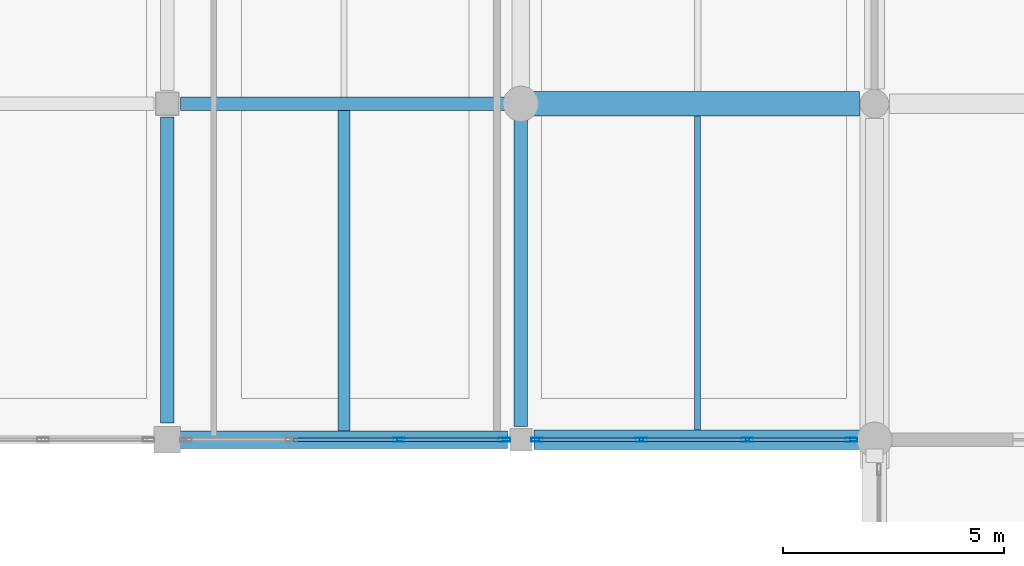
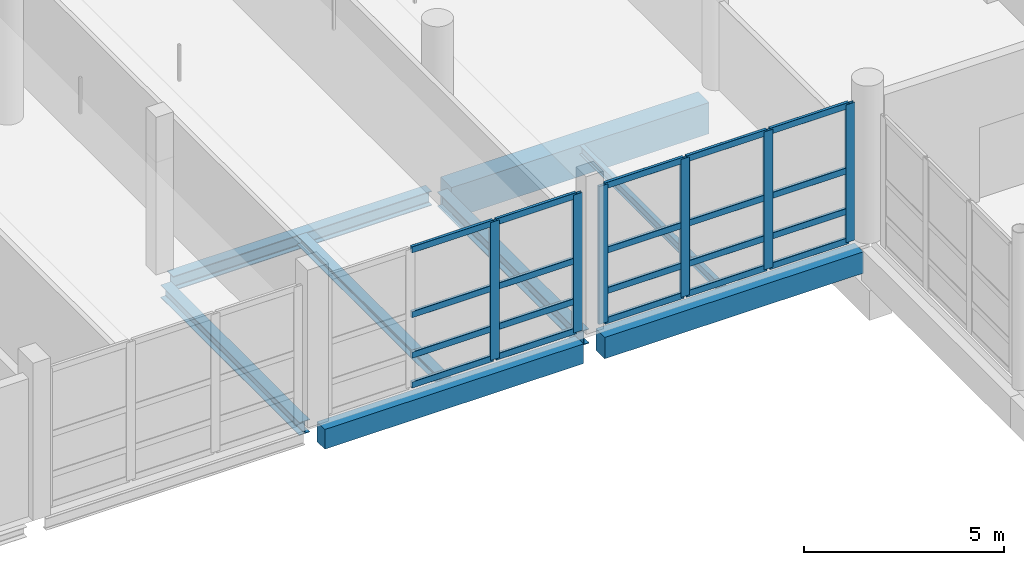
# One storey, part 57 of 147: 26 members, 8 beams, 2 elements without a shape of their own.
"""IFC4 building model written with IfcOpenShell, lengths in metres."""

from ifc_helpers import new_model, si_unit, direction, frame, origin, origin_2d, place, context, subcontext, project, spatial, rectangle, hollow_rectangle, i_section, extrude, material, material_profile, profile_set, type_object, element, aggregate, save


model = new_model("IFC4")

# Units and contexts
model_context = context("Model", 3, precision=1e-05, world=origin(), true_north=direction((0.0, 1.0)))
body_context = subcontext(model_context, "Body", "Model", "MODEL_VIEW")
ifc_project = project(units=[si_unit("LENGTHUNIT", "METRE"), si_unit("AREAUNIT", "SQUARE_METRE"), si_unit("VOLUMEUNIT", "CUBIC_METRE"), si_unit("PLANEANGLEUNIT", "RADIAN"), si_unit("MASSUNIT", "GRAM", prefix="KILO")], contexts=[model_context])

# Site, building, storey
site_placement = place(None, origin())
site = spatial("IfcSite", under=ifc_project, at=site_placement, CompositionType="ELEMENT")
building_placement = place(site_placement, origin())
building = spatial("IfcBuilding", under=site, at=building_placement, Name="Khelvaren Railside Concert Hall", CompositionType="ELEMENT")
storey_placement = place(building_placement, frame((0.0, 0.0, 5.39990234375)))
storey = spatial("IfcBuildingStorey", under=building, at=storey_placement, Name="L01", CompositionType="ELEMENT", Elevation=5.39990234375)

# Beams
ifc_material_1 = material(Name="Steel S355", Category="steel")
ifc_material_profile_1 = material_profile(ifc_material_1, i_section(OverallWidth=0.300048828125, OverallDepth=0.389892578125, WebThickness=0.010986328125, FlangeThickness=0.01904296875, FilletRadius=0.027099609375, at=origin_2d()), Name="HEA 400")
ifc_profile_set_1 = profile_set([ifc_material_profile_1], Name="Steel S355")
beam_type_1 = type_object("IfcBeamType", Name="BM23", PredefinedType="BEAM", material=ifc_profile_set_1)
beam_1_placement = place(storey_placement, frame((144.0, 83.97509765625, -0.494873046875), z_axis=(0.0, 1.0, 0.0), x_axis=(-1.0, 0.0, 0.0)))
element("IfcBeam", 1, at=beam_1_placement, inside=storey, type_object=beam_type_1, Name="V5 L01 Beam Y3.1", PredefinedType="BEAM", context=body_context, shape_type="SweptSolid", body=[
    extrude(i_section(OverallWidth=0.300048828125, OverallDepth=0.389892578125, WebThickness=0.010986328125, FlangeThickness=0.01904296875, FilletRadius=0.027099609375, at=origin_2d()), origin(), (0.0, 0.0, 1.0), 6.9248046875),
])
ifc_material_profile_2 = material_profile(ifc_material_1, i_section(OverallWidth=0.300048828125, OverallDepth=0.43994140625, WebThickness=0.011474609375, FlangeThickness=0.02099609375, FilletRadius=0.027099609375, at=origin_2d()), Name="HEA 450")
ifc_profile_set_2 = profile_set([ifc_material_profile_2], Name="Steel S355")
beam_type_2 = type_object("IfcBeamType", Name="BM89", PredefinedType="BEAM", material=ifc_profile_set_2)
beam_2_placement = place(storey_placement, frame((144.300048828125, 91.199951171875, -0.52001953125), z_axis=(1.0, 0.0, 0.0), x_axis=(0.0, 1.0, 0.0)))
element("IfcBeam", 2, at=beam_2_placement, inside=storey, type_object=beam_type_2, Name="V5 L01 Beam X2.3", PredefinedType="BEAM", context=body_context, shape_type="SweptSolid", body=[
    extrude(i_section(OverallWidth=0.300048828125, OverallDepth=0.43994140625, WebThickness=0.011474609375, FlangeThickness=0.02099609375, FilletRadius=0.027099609375, at=origin_2d()), origin(), (0.0, 0.0, 1.0), 7.449951171875),
])
beam_3_placement = place(storey_placement, frame((152.0, 83.89990234375, -0.52001953125), z_axis=(0.0, 1.0, 0.0), x_axis=(-1.0, 0.0, 0.0)))
element("IfcBeam", 3, at=beam_3_placement, inside=storey, type_object=beam_type_2, Name="V5 L01 Beam Y4.1", PredefinedType="BEAM", context=body_context, shape_type="SweptSolid", body=[
    extrude(i_section(OverallWidth=0.300048828125, OverallDepth=0.43994140625, WebThickness=0.011474609375, FlangeThickness=0.02099609375, FilletRadius=0.027099609375, at=origin_2d()), origin(), (0.0, 0.0, 1.0), 7.050048828125),
])

# Curtain wall, members
ifc_material_2 = material(Name="Acoustic laminated crystal facade glass", Category="glass")
curtain_wall_type_1 = type_object("IfcCurtainWallType", Name="CW66", PredefinedType="USERDEFINED", material=ifc_material_2)
curtain_wall_1_placement = place(storey_placement, origin())
curtain_wall_1 = element("IfcCurtainWall", 4, at=curtain_wall_1_placement, inside=storey, type_object=curtain_wall_type_1, Name="Unitised Curtain Wall CW-V5-L01-S-144", ObjectType="UNITISED CURTAIN WALL", PredefinedType="USERDEFINED")
ifc_material_3 = material(Name="Anodised architectural aluminium 6063-T6", Category="aluminium")
ifc_material_profile_3 = material_profile(ifc_material_3, hollow_rectangle(XDim=0.0849609375, YDim=0.260009765625, WallThickness=0.0048828125, InnerFilletRadius=0.0029296875, OuterFilletRadius=0.0048828125, at=origin_2d()), Name="CWM 85x260x5")
ifc_profile_set_3 = profile_set([ifc_material_profile_3], Name="Anodised architectural aluminium 6063-T6")
member_type_1 = type_object("IfcMemberType", Name="CWM40", PredefinedType="MULLION", material=ifc_profile_set_3)
member_1_placement = place(storey_placement, frame((151.6298828125, 83.60009765625, 0.0), z_axis=(0.0, 0.0, 1.0), x_axis=(0.0, -1.0, 0.0)))
member_1 = element("IfcMember", 5, at=member_1_placement, type_object=member_type_1, Name="CW66 mullion 1", PredefinedType="MULLION", context=body_context, shape_type="SweptSolid", body=[
    extrude(hollow_rectangle(XDim=0.0849609375, YDim=0.260009765625, WallThickness=0.0048828125, InnerFilletRadius=0.0029296875, OuterFilletRadius=0.0048828125, at=origin_2d()), origin(), (0.0, 0.0, 1.0), 4.2001953125),
])
member_2_placement = place(storey_placement, frame((149.24072265625, 83.60009765625, 0.0), z_axis=(0.0, 0.0, 1.0), x_axis=(0.0, -1.0, 0.0)))
member_2 = element("IfcMember", 6, at=member_2_placement, type_object=member_type_1, Name="CW66 mullion 2", PredefinedType="MULLION", context=body_context, shape_type="SweptSolid", body=[
    extrude(hollow_rectangle(XDim=0.0849609375, YDim=0.260009765625, WallThickness=0.0048828125, InnerFilletRadius=0.0029296875, OuterFilletRadius=0.0048828125, at=origin_2d()), origin(), (0.0, 0.0, 1.0), 4.2001953125),
])

curtain_wall_type_2 = type_object("IfcCurtainWallType", Name="CW21", PredefinedType="USERDEFINED", material=ifc_material_2)
curtain_wall_2_placement = place(storey_placement, origin())
curtain_wall_2 = element("IfcCurtainWall", 7, at=curtain_wall_2_placement, inside=storey, type_object=curtain_wall_type_2, Name="Unitised Curtain Wall CW-V5-L01-S-152", ObjectType="UNITISED CURTAIN WALL", PredefinedType="USERDEFINED")
member_3_placement = place(storey_placement, frame((159.47998046875, 83.60009765625, 0.0), z_axis=(0.0, 0.0, 1.0), x_axis=(0.0, -1.0, 0.0)))
member_3 = element("IfcMember", 8, at=member_3_placement, type_object=member_type_1, Name="CW21 mullion 1", PredefinedType="MULLION", context=body_context, shape_type="SweptSolid", body=[
    extrude(hollow_rectangle(XDim=0.0849609375, YDim=0.260009765625, WallThickness=0.0048828125, InnerFilletRadius=0.0029296875, OuterFilletRadius=0.0048828125, at=origin_2d()), origin(), (0.0, 0.0, 1.0), 4.2001953125),
])
member_4_placement = place(storey_placement, frame((157.124267578125, 83.60009765625, 0.0), z_axis=(0.0, 0.0, 1.0), x_axis=(0.0, -1.0, 0.0)))
member_4 = element("IfcMember", 9, at=member_4_placement, type_object=member_type_1, Name="CW21 mullion 2", PredefinedType="MULLION", context=body_context, shape_type="SweptSolid", body=[
    extrude(hollow_rectangle(XDim=0.0849609375, YDim=0.260009765625, WallThickness=0.0048828125, InnerFilletRadius=0.0029296875, OuterFilletRadius=0.0048828125, at=origin_2d()), origin(), (0.0, 0.0, 1.0), 4.2001953125),
])
member_5_placement = place(storey_placement, frame((154.725830078125, 83.60009765625, 0.0), z_axis=(0.0, 0.0, 1.0), x_axis=(0.0, -1.0, 0.0)))
member_5 = element("IfcMember", 10, at=member_5_placement, type_object=member_type_1, Name="CW21 mullion 3", PredefinedType="MULLION", context=body_context, shape_type="SweptSolid", body=[
    extrude(hollow_rectangle(XDim=0.0849609375, YDim=0.260009765625, WallThickness=0.0048828125, InnerFilletRadius=0.0029296875, OuterFilletRadius=0.0048828125, at=origin_2d()), origin(), (0.0, 0.0, 1.0), 4.2001953125),
])
member_6_placement = place(storey_placement, frame((152.3701171875, 83.60009765625, 0.0), z_axis=(0.0, 0.0, 1.0), x_axis=(0.0, -1.0, 0.0)))
member_6 = element("IfcMember", 11, at=member_6_placement, type_object=member_type_1, Name="CW21 mullion 4", PredefinedType="MULLION", context=body_context, shape_type="SweptSolid", body=[
    extrude(hollow_rectangle(XDim=0.0849609375, YDim=0.260009765625, WallThickness=0.0048828125, InnerFilletRadius=0.0029296875, OuterFilletRadius=0.0048828125, at=origin_2d()), origin(), (0.0, 0.0, 1.0), 4.2001953125),
])

# Member
ifc_material_profile_4 = material_profile(ifc_material_3, hollow_rectangle(XDim=0.0849609375, YDim=0.18994140625, WallThickness=0.0048828125, InnerFilletRadius=0.0029296875, OuterFilletRadius=0.0048828125, at=origin_2d()), Name="CWT 85x190x5")
ifc_profile_set_4 = profile_set([ifc_material_profile_4], Name="Anodised architectural aluminium 6063-T6")
member_type_2 = type_object("IfcMemberType", Name="CWT31", PredefinedType="USERDEFINED", material=ifc_profile_set_4)
member_7_placement = place(storey_placement, frame((151.58740234375, 83.60009765625, 0.04248046875), z_axis=(-1.0, 0.0, 0.0), x_axis=(0.0, -1.0, 0.0)))
member_7 = element("IfcMember", 12, at=member_7_placement, type_object=member_type_2, Name="CW66 transom 1.1", ObjectType="TRANSOM", PredefinedType="USERDEFINED", context=body_context, shape_type="SweptSolid", body=[
    extrude(hollow_rectangle(XDim=0.0849609375, YDim=0.18994140625, WallThickness=0.0048828125, InnerFilletRadius=0.0029296875, OuterFilletRadius=0.0048828125, at=origin_2d()), origin(), (0.0, 0.0, 1.0), 2.303955078125),
])

member_8_placement = place(storey_placement, frame((151.58740234375, 83.60009765625, 0.9501953125), z_axis=(-1.0, 0.0, 0.0), x_axis=(0.0, -1.0, 0.0)))
member_8 = element("IfcMember", 13, at=member_8_placement, type_object=member_type_2, Name="CW66 transom 1.2", ObjectType="TRANSOM", PredefinedType="USERDEFINED", context=body_context, shape_type="SweptSolid", body=[
    extrude(hollow_rectangle(XDim=0.0849609375, YDim=0.18994140625, WallThickness=0.0048828125, InnerFilletRadius=0.0029296875, OuterFilletRadius=0.0048828125, at=origin_2d()), origin(), (0.0, 0.0, 1.0), 2.303955078125),
])

member_9_placement = place(storey_placement, frame((151.58740234375, 83.60009765625, 2.18408203125), z_axis=(-1.0, 0.0, 0.0), x_axis=(0.0, -1.0, 0.0)))
member_9 = element("IfcMember", 14, at=member_9_placement, type_object=member_type_2, Name="CW66 transom 1.3", ObjectType="TRANSOM", PredefinedType="USERDEFINED", context=body_context, shape_type="SweptSolid", body=[
    extrude(hollow_rectangle(XDim=0.0849609375, YDim=0.18994140625, WallThickness=0.0048828125, InnerFilletRadius=0.0029296875, OuterFilletRadius=0.0048828125, at=origin_2d()), origin(), (0.0, 0.0, 1.0), 2.303955078125),
])

member_10_placement = place(storey_placement, frame((151.58740234375, 83.60009765625, 4.15771484375), z_axis=(-1.0, 0.0, 0.0), x_axis=(0.0, -1.0, 0.0)))
member_10 = element("IfcMember", 15, at=member_10_placement, type_object=member_type_2, Name="CW66 transom 1.4", ObjectType="TRANSOM", PredefinedType="USERDEFINED", context=body_context, shape_type="SweptSolid", body=[
    extrude(hollow_rectangle(XDim=0.0849609375, YDim=0.18994140625, WallThickness=0.0048828125, InnerFilletRadius=0.0029296875, OuterFilletRadius=0.0048828125, at=origin_2d()), origin(), (0.0, 0.0, 1.0), 2.303955078125),
])

member_11_placement = place(storey_placement, frame((149.1982421875, 83.60009765625, 0.04248046875), z_axis=(-1.0, 0.0, 0.0), x_axis=(0.0, -1.0, 0.0)))
member_11 = element("IfcMember", 16, at=member_11_placement, type_object=member_type_2, Name="CW66 transom 2.1", ObjectType="TRANSOM", PredefinedType="USERDEFINED", context=body_context, shape_type="SweptSolid", body=[
    extrude(hollow_rectangle(XDim=0.0849609375, YDim=0.18994140625, WallThickness=0.0048828125, InnerFilletRadius=0.0029296875, OuterFilletRadius=0.0048828125, at=origin_2d()), origin(), (0.0, 0.0, 1.0), 2.3466796875),
])

member_12_placement = place(storey_placement, frame((149.1982421875, 83.60009765625, 0.9501953125), z_axis=(-1.0, 0.0, 0.0), x_axis=(0.0, -1.0, 0.0)))
member_12 = element("IfcMember", 17, at=member_12_placement, type_object=member_type_2, Name="CW66 transom 2.2", ObjectType="TRANSOM", PredefinedType="USERDEFINED", context=body_context, shape_type="SweptSolid", body=[
    extrude(hollow_rectangle(XDim=0.0849609375, YDim=0.18994140625, WallThickness=0.0048828125, InnerFilletRadius=0.0029296875, OuterFilletRadius=0.0048828125, at=origin_2d()), origin(), (0.0, 0.0, 1.0), 2.3466796875),
])

member_13_placement = place(storey_placement, frame((149.1982421875, 83.60009765625, 2.18408203125), z_axis=(-1.0, 0.0, 0.0), x_axis=(0.0, -1.0, 0.0)))
member_13 = element("IfcMember", 18, at=member_13_placement, type_object=member_type_2, Name="CW66 transom 2.3", ObjectType="TRANSOM", PredefinedType="USERDEFINED", context=body_context, shape_type="SweptSolid", body=[
    extrude(hollow_rectangle(XDim=0.0849609375, YDim=0.18994140625, WallThickness=0.0048828125, InnerFilletRadius=0.0029296875, OuterFilletRadius=0.0048828125, at=origin_2d()), origin(), (0.0, 0.0, 1.0), 2.3466796875),
])

member_14_placement = place(storey_placement, frame((149.1982421875, 83.60009765625, 4.15771484375), z_axis=(-1.0, 0.0, 0.0), x_axis=(0.0, -1.0, 0.0)))
member_14 = element("IfcMember", 19, at=member_14_placement, type_object=member_type_2, Name="CW66 transom 2.4", ObjectType="TRANSOM", PredefinedType="USERDEFINED", context=body_context, shape_type="SweptSolid", body=[
    extrude(hollow_rectangle(XDim=0.0849609375, YDim=0.18994140625, WallThickness=0.0048828125, InnerFilletRadius=0.0029296875, OuterFilletRadius=0.0048828125, at=origin_2d()), origin(), (0.0, 0.0, 1.0), 2.3466796875),
])

aggregate(curtain_wall_1, [member_1, member_2, member_7, member_8, member_9, member_10, member_11, member_12, member_13, member_14])

member_15_placement = place(storey_placement, frame((159.4375, 83.60009765625, 0.04248046875), z_axis=(-1.0, 0.0, 0.0), x_axis=(0.0, -1.0, 0.0)))
member_15 = element("IfcMember", 20, at=member_15_placement, type_object=member_type_2, Name="CW21 transom 1.1", ObjectType="TRANSOM", PredefinedType="USERDEFINED", context=body_context, shape_type="SweptSolid", body=[
    extrude(hollow_rectangle(XDim=0.0849609375, YDim=0.18994140625, WallThickness=0.0048828125, InnerFilletRadius=0.0029296875, OuterFilletRadius=0.0048828125, at=origin_2d()), origin(), (0.0, 0.0, 1.0), 2.270751953125),
])

member_16_placement = place(storey_placement, frame((159.4375, 83.60009765625, 0.9501953125), z_axis=(-1.0, 0.0, 0.0), x_axis=(0.0, -1.0, 0.0)))
member_16 = element("IfcMember", 21, at=member_16_placement, type_object=member_type_2, Name="CW21 transom 1.2", ObjectType="TRANSOM", PredefinedType="USERDEFINED", context=body_context, shape_type="SweptSolid", body=[
    extrude(hollow_rectangle(XDim=0.0849609375, YDim=0.18994140625, WallThickness=0.0048828125, InnerFilletRadius=0.0029296875, OuterFilletRadius=0.0048828125, at=origin_2d()), origin(), (0.0, 0.0, 1.0), 2.270751953125),
])

member_17_placement = place(storey_placement, frame((159.4375, 83.60009765625, 2.18408203125), z_axis=(-1.0, 0.0, 0.0), x_axis=(0.0, -1.0, 0.0)))
member_17 = element("IfcMember", 22, at=member_17_placement, type_object=member_type_2, Name="CW21 transom 1.3", ObjectType="TRANSOM", PredefinedType="USERDEFINED", context=body_context, shape_type="SweptSolid", body=[
    extrude(hollow_rectangle(XDim=0.0849609375, YDim=0.18994140625, WallThickness=0.0048828125, InnerFilletRadius=0.0029296875, OuterFilletRadius=0.0048828125, at=origin_2d()), origin(), (0.0, 0.0, 1.0), 2.270751953125),
])

member_18_placement = place(storey_placement, frame((159.4375, 83.60009765625, 4.15771484375), z_axis=(-1.0, 0.0, 0.0), x_axis=(0.0, -1.0, 0.0)))
member_18 = element("IfcMember", 23, at=member_18_placement, type_object=member_type_2, Name="CW21 transom 1.4", ObjectType="TRANSOM", PredefinedType="USERDEFINED", context=body_context, shape_type="SweptSolid", body=[
    extrude(hollow_rectangle(XDim=0.0849609375, YDim=0.18994140625, WallThickness=0.0048828125, InnerFilletRadius=0.0029296875, OuterFilletRadius=0.0048828125, at=origin_2d()), origin(), (0.0, 0.0, 1.0), 2.270751953125),
])

member_19_placement = place(storey_placement, frame((157.081787109375, 83.60009765625, 0.04248046875), z_axis=(-1.0, 0.0, 0.0), x_axis=(0.0, -1.0, 0.0)))
member_19 = element("IfcMember", 24, at=member_19_placement, type_object=member_type_2, Name="CW21 transom 2.1", ObjectType="TRANSOM", PredefinedType="USERDEFINED", context=body_context, shape_type="SweptSolid", body=[
    extrude(hollow_rectangle(XDim=0.0849609375, YDim=0.18994140625, WallThickness=0.0048828125, InnerFilletRadius=0.0029296875, OuterFilletRadius=0.0048828125, at=origin_2d()), origin(), (0.0, 0.0, 1.0), 2.3134765625),
])

member_20_placement = place(storey_placement, frame((157.081787109375, 83.60009765625, 0.9501953125), z_axis=(-1.0, 0.0, 0.0), x_axis=(0.0, -1.0, 0.0)))
member_20 = element("IfcMember", 25, at=member_20_placement, type_object=member_type_2, Name="CW21 transom 2.2", ObjectType="TRANSOM", PredefinedType="USERDEFINED", context=body_context, shape_type="SweptSolid", body=[
    extrude(hollow_rectangle(XDim=0.0849609375, YDim=0.18994140625, WallThickness=0.0048828125, InnerFilletRadius=0.0029296875, OuterFilletRadius=0.0048828125, at=origin_2d()), origin(), (0.0, 0.0, 1.0), 2.3134765625),
])

member_21_placement = place(storey_placement, frame((157.081787109375, 83.60009765625, 2.18408203125), z_axis=(-1.0, 0.0, 0.0), x_axis=(0.0, -1.0, 0.0)))
member_21 = element("IfcMember", 26, at=member_21_placement, type_object=member_type_2, Name="CW21 transom 2.3", ObjectType="TRANSOM", PredefinedType="USERDEFINED", context=body_context, shape_type="SweptSolid", body=[
    extrude(hollow_rectangle(XDim=0.0849609375, YDim=0.18994140625, WallThickness=0.0048828125, InnerFilletRadius=0.0029296875, OuterFilletRadius=0.0048828125, at=origin_2d()), origin(), (0.0, 0.0, 1.0), 2.3134765625),
])

member_22_placement = place(storey_placement, frame((157.081787109375, 83.60009765625, 4.15771484375), z_axis=(-1.0, 0.0, 0.0), x_axis=(0.0, -1.0, 0.0)))
member_22 = element("IfcMember", 27, at=member_22_placement, type_object=member_type_2, Name="CW21 transom 2.4", ObjectType="TRANSOM", PredefinedType="USERDEFINED", context=body_context, shape_type="SweptSolid", body=[
    extrude(hollow_rectangle(XDim=0.0849609375, YDim=0.18994140625, WallThickness=0.0048828125, InnerFilletRadius=0.0029296875, OuterFilletRadius=0.0048828125, at=origin_2d()), origin(), (0.0, 0.0, 1.0), 2.3134765625),
])

member_23_placement = place(storey_placement, frame((154.683349609375, 83.60009765625, 0.04248046875), z_axis=(-1.0, 0.0, 0.0), x_axis=(0.0, -1.0, 0.0)))
member_23 = element("IfcMember", 28, at=member_23_placement, type_object=member_type_2, Name="CW21 transom 3.1", ObjectType="TRANSOM", PredefinedType="USERDEFINED", context=body_context, shape_type="SweptSolid", body=[
    extrude(hollow_rectangle(XDim=0.0849609375, YDim=0.18994140625, WallThickness=0.0048828125, InnerFilletRadius=0.0029296875, OuterFilletRadius=0.0048828125, at=origin_2d()), origin(), (0.0, 0.0, 1.0), 2.270751953125),
])

member_24_placement = place(storey_placement, frame((154.683349609375, 83.60009765625, 0.9501953125), z_axis=(-1.0, 0.0, 0.0), x_axis=(0.0, -1.0, 0.0)))
member_24 = element("IfcMember", 29, at=member_24_placement, type_object=member_type_2, Name="CW21 transom 3.2", ObjectType="TRANSOM", PredefinedType="USERDEFINED", context=body_context, shape_type="SweptSolid", body=[
    extrude(hollow_rectangle(XDim=0.0849609375, YDim=0.18994140625, WallThickness=0.0048828125, InnerFilletRadius=0.0029296875, OuterFilletRadius=0.0048828125, at=origin_2d()), origin(), (0.0, 0.0, 1.0), 2.270751953125),
])

member_25_placement = place(storey_placement, frame((154.683349609375, 83.60009765625, 2.18408203125), z_axis=(-1.0, 0.0, 0.0), x_axis=(0.0, -1.0, 0.0)))
member_25 = element("IfcMember", 30, at=member_25_placement, type_object=member_type_2, Name="CW21 transom 3.3", ObjectType="TRANSOM", PredefinedType="USERDEFINED", context=body_context, shape_type="SweptSolid", body=[
    extrude(hollow_rectangle(XDim=0.0849609375, YDim=0.18994140625, WallThickness=0.0048828125, InnerFilletRadius=0.0029296875, OuterFilletRadius=0.0048828125, at=origin_2d()), origin(), (0.0, 0.0, 1.0), 2.270751953125),
])

member_26_placement = place(storey_placement, frame((154.683349609375, 83.60009765625, 4.15771484375), z_axis=(-1.0, 0.0, 0.0), x_axis=(0.0, -1.0, 0.0)))
member_26 = element("IfcMember", 31, at=member_26_placement, type_object=member_type_2, Name="CW21 transom 3.4", ObjectType="TRANSOM", PredefinedType="USERDEFINED", context=body_context, shape_type="SweptSolid", body=[
    extrude(hollow_rectangle(XDim=0.0849609375, YDim=0.18994140625, WallThickness=0.0048828125, InnerFilletRadius=0.0029296875, OuterFilletRadius=0.0048828125, at=origin_2d()), origin(), (0.0, 0.0, 1.0), 2.270751953125),
])

aggregate(curtain_wall_2, [member_3, member_4, member_5, member_6, member_15, member_16, member_17, member_18, member_19, member_20, member_21, member_22, member_23, member_24, member_25, member_26])

# Beams
ifc_material_4 = material(Name="Concrete C40/50", Category="concrete")
ifc_material_profile_5 = material_profile(ifc_material_4, rectangle(XDim=0.550048828125, YDim=0.949951171875, at=origin_2d()), Name="RCB 550x950")
ifc_profile_set_5 = profile_set([ifc_material_profile_5], Name="Concrete C40/50")
beam_type_3 = type_object("IfcBeamType", Name="GR57", PredefinedType="T_BEAM", material=ifc_profile_set_5)
beam_4_placement = place(storey_placement, frame((152.25, 91.199951171875, -0.77490234375), z_axis=(1.0, 0.0, 0.0), x_axis=(0.0, 1.0, 0.0)))
element("IfcBeam", 32, at=beam_4_placement, inside=storey, type_object=beam_type_3, Name="V5 L01 T_Beam X2.4", PredefinedType="T_BEAM", context=body_context, shape_type="SweptSolid", body=[
    extrude(rectangle(XDim=0.550048828125, YDim=0.949951171875, at=origin_2d()), origin(), (0.0, 0.0, 1.0), 7.4140625),
])
ifc_material_profile_6 = material_profile(ifc_material_1, i_section(OverallWidth=0.280029296875, OverallDepth=0.27001953125, WebThickness=0.008056640625, FlangeThickness=0.012939453125, FilletRadius=0.02392578125, at=origin_2d()), Name="HEA 280")
ifc_profile_set_6 = profile_set([ifc_material_profile_6], Name="Steel S355")
beam_type_4 = type_object("IfcBeamType", Name="JS46", PredefinedType="JOIST", material=ifc_profile_set_6)
beam_5_placement = place(storey_placement, frame((148.0, 83.800048828125, -0.434814453125), z_axis=(0.0, 1.0, 0.0), x_axis=(-1.0, 0.0, 0.0)))
element("IfcBeam", 33, at=beam_5_placement, inside=storey, type_object=beam_type_4, Name="V5 L01 Secondary Joist 3.1", PredefinedType="JOIST", context=body_context, shape_type="SweptSolid", body=[
    extrude(i_section(OverallWidth=0.280029296875, OverallDepth=0.27001953125, WebThickness=0.008056640625, FlangeThickness=0.012939453125, FilletRadius=0.02392578125, at=origin_2d()), origin(), (0.0, 0.0, 1.0), 7.25),
])
ifc_material_profile_7 = material_profile(ifc_material_1, i_section(OverallWidth=0.135009765625, OverallDepth=0.27001953125, WebThickness=0.006591796875, FlangeThickness=0.01025390625, FilletRadius=0.014892578125, at=origin_2d()), Name="IPE 270")
ifc_profile_set_7 = profile_set([ifc_material_profile_7], Name="Steel S355")
beam_type_5 = type_object("IfcBeamType", Name="JS78", PredefinedType="JOIST", material=ifc_profile_set_7)
beam_6_placement = place(storey_placement, frame((156.0, 83.824951171875, -0.434814453125), z_axis=(0.0, 1.0, 0.0), x_axis=(-1.0, 0.0, 0.0)))
element("IfcBeam", 34, at=beam_6_placement, inside=storey, type_object=beam_type_5, Name="V5 L01 Secondary Joist 4.1", PredefinedType="JOIST", context=body_context, shape_type="SweptSolid", body=[
    extrude(i_section(OverallWidth=0.135009765625, OverallDepth=0.27001953125, WebThickness=0.006591796875, FlangeThickness=0.01025390625, FilletRadius=0.014892578125, at=origin_2d()), origin(), (0.0, 0.0, 1.0), 7.10009765625),
])
ifc_material_profile_8 = material_profile(ifc_material_4, rectangle(XDim=0.449951171875, YDim=0.64990234375, at=origin_2d()), Name="RCB 450x650")
ifc_profile_set_8 = profile_set([ifc_material_profile_8], Name="Concrete C40/50")
beam_type_6 = type_object("IfcBeamType", Name="SP34", PredefinedType="SPANDREL", material=ifc_profile_set_8)
beam_7_placement = place(storey_placement, frame((152.300048828125, 83.60009765625, -0.625), z_axis=(1.0, 0.0, 0.0), x_axis=(0.0, 1.0, 0.0)))
element("IfcBeam", 35, at=beam_7_placement, inside=storey, type_object=beam_type_6, Name="V5 L01 Spandrel X1.4", PredefinedType="SPANDREL", context=body_context, shape_type="SweptSolid", body=[
    extrude(rectangle(XDim=0.449951171875, YDim=0.64990234375, at=origin_2d()), origin(), (0.0, 0.0, 1.0), 7.449951171875),
])
ifc_material_profile_9 = material_profile(ifc_material_4, rectangle(XDim=0.39990234375, YDim=0.60009765625, at=origin_2d()), Name="RCB 400x600")
ifc_profile_set_9 = profile_set([ifc_material_profile_9], Name="Concrete C40/50")
beam_type_7 = type_object("IfcBeamType", Name="SP75", PredefinedType="SPANDREL", material=ifc_profile_set_9)
beam_8_placement = place(storey_placement, frame((144.25, 83.60009765625, -0.599853515625), z_axis=(1.0, 0.0, 0.0), x_axis=(0.0, 1.0, 0.0)))
element("IfcBeam", 36, at=beam_8_placement, inside=storey, type_object=beam_type_7, Name="V5 L01 Spandrel X1.3", PredefinedType="SPANDREL", context=body_context, shape_type="SweptSolid", body=[
    extrude(rectangle(XDim=0.39990234375, YDim=0.60009765625, at=origin_2d()), origin(), (0.0, 0.0, 1.0), 7.449951171875),
])

save(model, "model.ifc")
